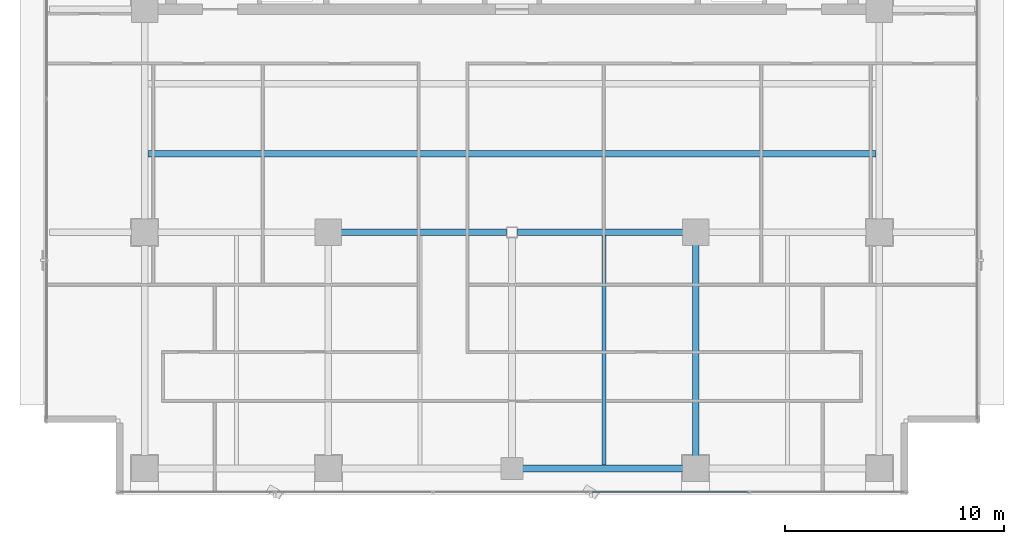
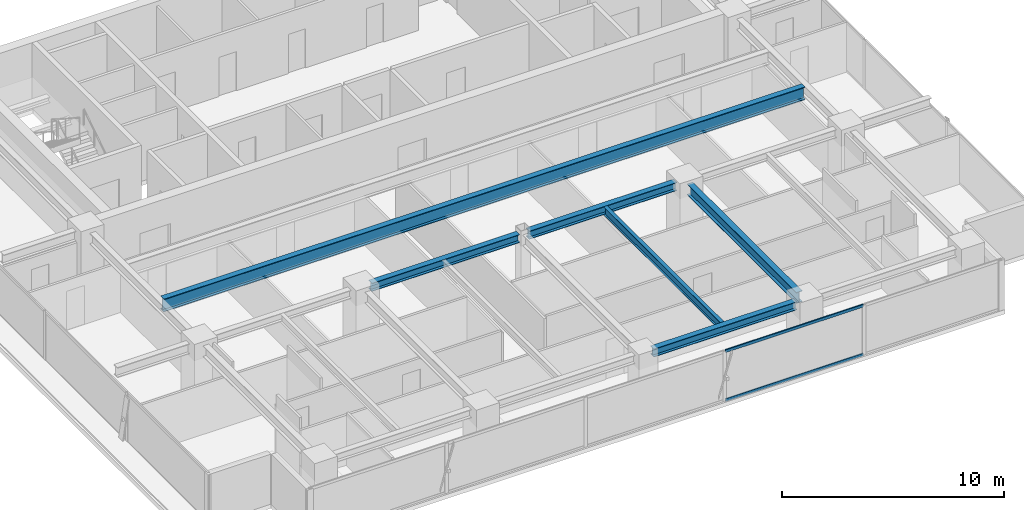
# One storey, part 6 of 22: 6 beams, 2 members, 1 element without a shape of its own.
"""IFC4 building model written with IfcOpenShell, lengths in metres."""

from ifc_helpers import new_model, si_unit, direction, frame, origin, origin_2d, place, context, subcontext, project, spatial, hollow_rectangle, i_section, extrude, source, transform, mapped, material, layer, layer_set, material_profile, profile_set, type_object, element, aggregate, save


model = new_model("IFC4")

# Units and contexts
model_context = context("Model", 3, precision=1e-05, world=origin(), true_north=direction((0.0, 1.0)))
body_context = subcontext(model_context, "Body", "Model", "MODEL_VIEW")
ifc_project = project(units=[si_unit("LENGTHUNIT", "METRE"), si_unit("AREAUNIT", "SQUARE_METRE"), si_unit("VOLUMEUNIT", "CUBIC_METRE"), si_unit("PLANEANGLEUNIT", "RADIAN"), si_unit("MASSUNIT", "GRAM", prefix="KILO")], contexts=[model_context])

# Site, building, storey
site_placement = place(None, origin())
site = spatial("IfcSite", under=ifc_project, at=site_placement, CompositionType="ELEMENT")
building_placement = place(site_placement, origin())
building = spatial("IfcBuilding", under=site, at=building_placement, Name="Sumidabori Civic Tower", CompositionType="ELEMENT")
storey_placement = place(building_placement, frame((0.0, 0.0, 272.0)))
storey = spatial("IfcBuildingStorey", under=building, at=storey_placement, Name="L71", CompositionType="ELEMENT", Elevation=272.0)

# Beams
ifc_material_1 = material(Name="Steel SN490", Category="steel")
ifc_material_profile_1 = material_profile(ifc_material_1, i_section(OverallWidth=0.300048828125, OverallDepth=0.60009765625, WebThickness=0.015380859375, FlangeThickness=0.030029296875, at=origin_2d()), Name="HE 600 B")
ifc_profile_set_1 = profile_set([ifc_material_profile_1], Name="Steel SN490")
beam_type_1 = type_object("IfcBeamType", Name="BM-GIRD-600", PredefinedType="BEAM", material=ifc_profile_set_1)
shared_shape_1 = source(origin(), body_context, "Body", "SweptSolid", [
    extrude(i_section(OverallWidth=0.300048828125, OverallDepth=0.60009765625, WebThickness=0.015380859375, FlangeThickness=0.030029296875, at=origin_2d()), origin(), (0.0, 0.0, 1.0), 9.840087890625),
])
beam_1_placement = place(storey_placement, frame((8.39990234375, -10.320068359375, 3.070068359375), z_axis=(0.0, 1.0, 0.0), x_axis=(-1.0, 0.0, 0.0)))
element("IfcBeam", 1, at=beam_1_placement, inside=storey, type_object=beam_type_1, Name="Primary Girder L71 GY-14", PredefinedType="BEAM", context=body_context, shape_type="MappedRepresentation", body=[
    mapped(shared_shape_1, transform((0.0, 0.0, 0.0), x_axis=(1.0, 0.0, 0.0), y_axis=(0.0, 1.0, 0.0), z_axis=(0.0, 0.0, 1.0), scale=1.0)),
])
ifc_material_profile_2 = material_profile(ifc_material_1, i_section(OverallWidth=0.300048828125, OverallDepth=0.699951171875, WebThickness=0.01708984375, FlangeThickness=0.031982421875, at=origin_2d()), Name="HE 700 B")
ifc_profile_set_2 = profile_set([ifc_material_profile_2], Name="Steel SN490")
beam_type_2 = type_object("IfcBeamType", Name="BM-GIRD-700", PredefinedType="BEAM", material=ifc_profile_set_2)
shared_shape_2 = source(origin(), body_context, "Body", "SweptSolid", [
    extrude(i_section(OverallWidth=0.300048828125, OverallDepth=0.699951171875, WebThickness=0.01708984375, FlangeThickness=0.031982421875, at=origin_2d()), origin(), (0.0, 0.0, 1.0), 33.2998046875),
])
beam_2_placement = place(storey_placement, frame((-16.64990234375, 3.60009765625, 3.02001953125), z_axis=(1.0, 0.0, 0.0), x_axis=(0.0, 1.0, 0.0)))
element("IfcBeam", 2, at=beam_2_placement, inside=storey, type_object=beam_type_2, Name="North Bay Floor Beam L71 JSTN-22", PredefinedType="BEAM", context=body_context, shape_type="MappedRepresentation", body=[
    mapped(shared_shape_2, transform((0.0, 0.0, 0.0), x_axis=(1.0, 0.0, 0.0), y_axis=(0.0, 1.0, 0.0), z_axis=(0.0, 0.0, 1.0), scale=1.0)),
])
ifc_material_profile_3 = material_profile(ifc_material_1, i_section(OverallWidth=0.300048828125, OverallDepth=0.449951171875, WebThickness=0.013916015625, FlangeThickness=0.02587890625, at=origin_2d()), Name="HE 450 B")
ifc_profile_set_3 = profile_set([ifc_material_profile_3], Name="Steel SN490")
beam_type_3 = type_object("IfcBeamType", Name="BM-GIRD-450", PredefinedType="BEAM", material=ifc_profile_set_3)
shared_shape_3 = source(origin(), body_context, "Body", "SweptSolid", [
    extrude(i_section(OverallWidth=0.300048828125, OverallDepth=0.449951171875, WebThickness=0.013916015625, FlangeThickness=0.02587890625, at=origin_2d()), origin(), (0.0, 0.0, 1.0), 7.43994140625),
])
beam_3_placement = place(storey_placement, frame((0.47998046875, -10.800048828125, 3.14501953125), z_axis=(1.0, 0.0, 0.0), x_axis=(0.0, 1.0, 0.0)))
element("IfcBeam", 3, at=beam_3_placement, inside=storey, type_object=beam_type_3, Name="Primary Girder L71 GX-03", PredefinedType="BEAM", context=body_context, shape_type="MappedRepresentation", body=[
    mapped(shared_shape_3, transform((0.0, 0.0, 0.0), x_axis=(1.0, 0.0, 0.0), y_axis=(0.0, 1.0, 0.0), z_axis=(0.0, 0.0, 1.0), scale=1.0)),
])
ifc_material_profile_4 = material_profile(ifc_material_1, i_section(OverallWidth=0.18994140625, OverallDepth=0.449951171875, WebThickness=0.009521484375, FlangeThickness=0.0146484375, at=origin_2d()), Name="IPE 450")
ifc_profile_set_4 = profile_set([ifc_material_profile_4], Name="Steel SN490")
beam_type_4 = type_object("IfcBeamType", Name="BM-JST-450", PredefinedType="JOIST", material=ifc_profile_set_4)
shared_shape_4 = source(origin(), body_context, "Body", "SweptSolid", [
    extrude(i_section(OverallWidth=0.18994140625, OverallDepth=0.449951171875, WebThickness=0.009521484375, FlangeThickness=0.0146484375, at=origin_2d()), origin(), (0.0, 0.0, 1.0), 10.5),
])
beam_4_placement = place(storey_placement, frame((4.199951171875, -10.64990234375, 3.14501953125), z_axis=(0.0, 1.0, 0.0), x_axis=(-1.0, 0.0, 0.0)))
element("IfcBeam", 4, at=beam_4_placement, inside=storey, type_object=beam_type_4, Name="Upper Lens N-S Floor Joist L71 JSTV-26", PredefinedType="JOIST", context=body_context, shape_type="MappedRepresentation", body=[
    mapped(shared_shape_4, transform((0.0, 0.0, 0.0), x_axis=(1.0, 0.0, 0.0), y_axis=(0.0, 1.0, 0.0), z_axis=(0.0, 0.0, 1.0), scale=1.0)),
])
shared_shape_5 = source(origin(), body_context, "Body", "SweptSolid", [
    extrude(i_section(OverallWidth=0.300048828125, OverallDepth=0.449951171875, WebThickness=0.013916015625, FlangeThickness=0.02587890625, at=origin_2d()), origin(), (0.0, 0.0, 1.0), 7.669921875),
])
for number, where, z_axis, x_axis, name in (
    (5, (-7.919921875, 0.0, 3.14501953125), (1.0, 0.0, 0.0), (0.0, 1.0, 0.0), "Primary Girder L71 GX-06"),
    (6, (0.25, 0.0, 3.14501953125), (1.0, 0.0, 0.0), (0.0, 1.0, 0.0), "Primary Girder L71 GX-07"),
):
    element("IfcBeam", number, at=place(storey_placement, frame(where, z_axis=z_axis, x_axis=x_axis)), inside=storey, type_object=beam_type_3, Name=name, PredefinedType="BEAM", context=body_context, shape_type="MappedRepresentation", body=[
        mapped(shared_shape_5, transform((0.0, 0.0, 0.0), x_axis=(1.0, 0.0, 0.0), y_axis=(0.0, 1.0, 0.0), z_axis=(0.0, 0.0, 1.0), scale=1.0)),
    ])

# Curtain wall, members
ifc_material_2 = material(Name="Anodised Bronze Aluminium AW-6063-T6", Category="aluminium")
ifc_layer = layer(ifc_material_2, 0.179931640625, Name="Anodised Bronze Aluminium AW-6063-T6")
ifc_layer_set = layer_set([ifc_layer], Name="Anodised Bronze Aluminium AW-6063-T6")
curtain_wall_type = type_object("IfcCurtainWallType", Name="CW-SYS-6", PredefinedType="NOTDEFINED", material=ifc_layer_set)
curtain_wall_placement = place(storey_placement, origin())
curtain_wall = element("IfcCurtainWall", 7, at=curtain_wall_placement, inside=storey, type_object=curtain_wall_type, Name="Curtain Wall CW:L71:R01", PredefinedType="NOTDEFINED")
ifc_material_profile_5 = material_profile(ifc_material_2, hollow_rectangle(XDim=0.06494140625, YDim=0.14990234375, WallThickness=0.0048828125, at=origin_2d()), Name="ALU TRANSOM 150x65")
ifc_profile_set_5 = profile_set([ifc_material_profile_5], Name="Anodised Bronze Aluminium AW-6063-T6")
member_type = type_object("IfcMemberType", Name="CW-TRN-150", PredefinedType="USERDEFINED", material=ifc_profile_set_5)
shared_shape_6 = source(origin(), body_context, "Body", "SweptSolid", [
    extrude(hollow_rectangle(XDim=0.06494140625, YDim=0.14990234375, WallThickness=0.0048828125, at=origin_2d()), origin(), (0.0, 0.0, 1.0), 7.157958984375),
])
member_1_placement = place(storey_placement, frame((3.64892578125, -11.8798828125, 0.032470703125), z_axis=(1.0, 0.0, 0.0), x_axis=(0.0, 1.0, 0.0)))
member_1 = element("IfcMember", 8, at=member_1_placement, type_object=member_type, Name="CW-6 transom 4.1", ObjectType="TRANSOM", PredefinedType="USERDEFINED", context=body_context, shape_type="MappedRepresentation", body=[
    mapped(shared_shape_6, transform((0.0, 0.0, 0.0), x_axis=(1.0, 0.0, 0.0), y_axis=(0.0, 1.0, 0.0), z_axis=(0.0, 0.0, 1.0), scale=1.0)),
])
member_2_placement = place(storey_placement, frame((3.64892578125, -11.8798828125, 2.717529296875), z_axis=(1.0, 0.0, 0.0), x_axis=(0.0, 1.0, 0.0)))
member_2 = element("IfcMember", 9, at=member_2_placement, type_object=member_type, Name="CW-6 transom 4.2", ObjectType="TRANSOM", PredefinedType="USERDEFINED", context=body_context, shape_type="MappedRepresentation", body=[
    mapped(shared_shape_6, transform((0.0, 0.0, 0.0), x_axis=(1.0, 0.0, 0.0), y_axis=(0.0, 1.0, 0.0), z_axis=(0.0, 0.0, 1.0), scale=1.0)),
])
aggregate(curtain_wall, [member_1, member_2])

save(model, "model.ifc")
